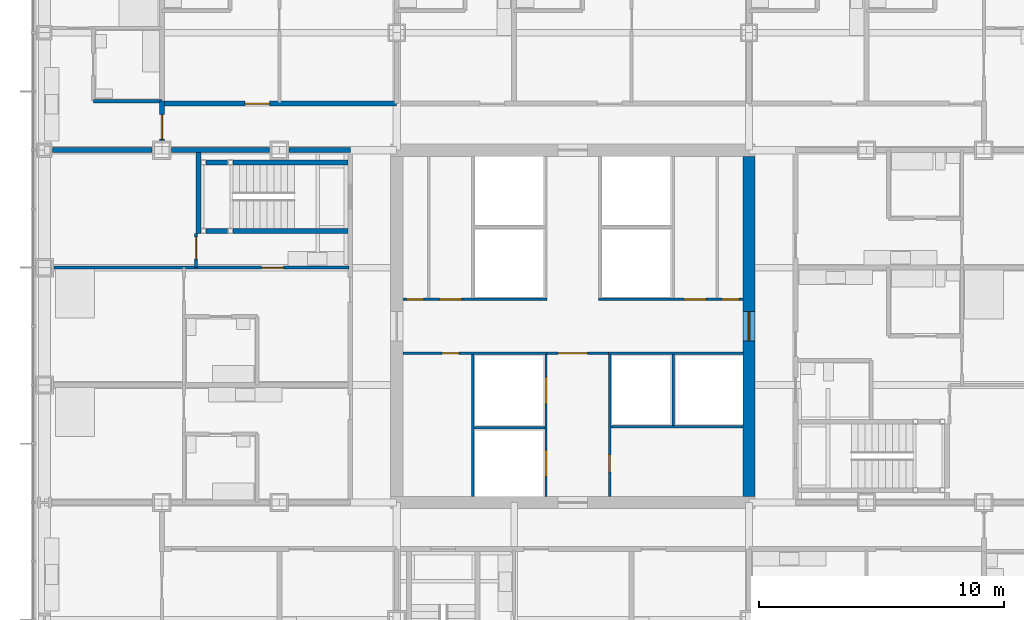
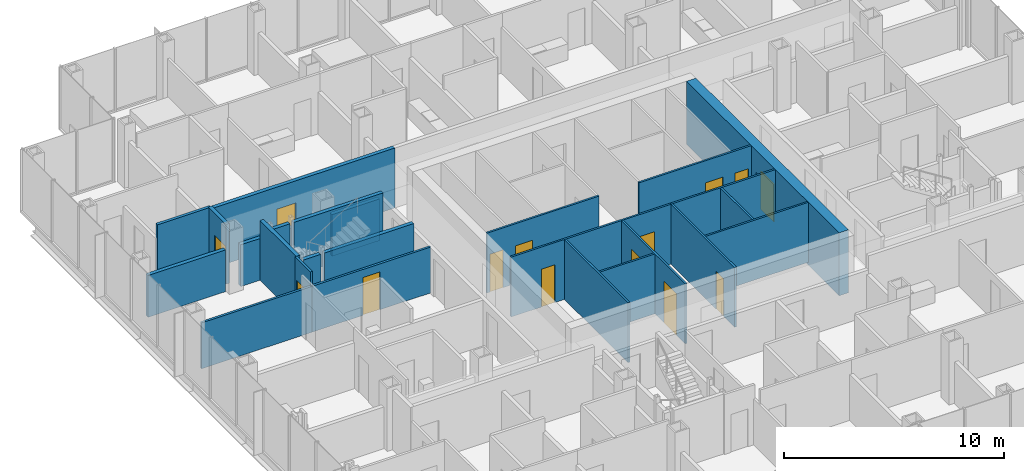
# One storey, part 15 of 21: 26 walls, 14 doors, 14 openings.
"""IFC4 building model written with IfcOpenShell, lengths in metres."""

from ifc_helpers import new_model, si_unit, direction, frame, frame_2d, origin, place, context, subcontext, project, spatial, rectangle, extrude, material, layer, layer_set, type_object, element, fill, save


model = new_model("IFC4")

# Units and contexts
model_context = context("Model", 3, precision=1e-05, world=origin(), true_north=direction((0.0, 1.0)))
body_context = subcontext(model_context, "Body", "Model", "MODEL_VIEW")
ifc_project = project(units=[si_unit("LENGTHUNIT", "METRE"), si_unit("AREAUNIT", "SQUARE_METRE"), si_unit("VOLUMEUNIT", "CUBIC_METRE"), si_unit("PLANEANGLEUNIT", "RADIAN"), si_unit("MASSUNIT", "GRAM", prefix="KILO")], contexts=[model_context])

# Site, building, storey
site_placement = place(None, origin())
site = spatial("IfcSite", under=ifc_project, at=site_placement, CompositionType="ELEMENT")
building_placement = place(site_placement, origin())
building = spatial("IfcBuilding", under=site, at=building_placement, Name="Kvirike Care Tower", CompositionType="ELEMENT")
storey_placement = place(building_placement, frame((0.0, 0.0, 34.0)))
storey = spatial("IfcBuildingStorey", under=building, at=storey_placement, Name="L08", CompositionType="ELEMENT", Elevation=34.0)

# Wall
ifc_material_1 = material(Name="Moisture-resistant board partition", Category="gypsum")
ifc_layer_1 = layer(ifc_material_1, 0.14990234375)
ifc_layer_set_1 = layer_set([ifc_layer_1], Name="BATHROOM WALL 150")
wall_type_1 = type_object("IfcWallType", Name="BATHROOM WALL 150", PredefinedType="PARTITIONING", material=ifc_layer_set_1)
wall_1_placement = place(storey_placement, frame((4.800048828125, 45.199951171875, 0.0), z_axis=(0.0, 0.0, 1.0), x_axis=(-1.0, 0.0, 0.0)))
element("IfcWall", 1, at=wall_1_placement, inside=storey, type_object=wall_type_1, Name="Bathroom Wall 150 L08", PredefinedType="PARTITIONING", context=body_context, shape_type="SweptSolid", body=[
    extrude(rectangle(XDim=2.800048828125, YDim=0.14990234375, at=frame_2d((1.39990234375, 0.0))), origin(), (0.0, 0.0, 1.0), 3.330078125),
])

# Wall, opening, door
ifc_material_2 = material(Name="Concrete C60/75", Category="concrete")
ifc_layer_2 = layer(ifc_material_2, 0.5)
ifc_layer_set_2 = layer_set([ifc_layer_2], Name="CORE WALL 500 C60-75")
wall_type_2 = type_object("IfcWallType", Name="CORE WALL 500 C60-75", PredefinedType="SHEAR", material=ifc_layer_set_2)
wall_2_placement = place(storey_placement, frame((28.800048828125, 29.050048828125, -0.169921875), z_axis=(0.0, 0.0, 1.0), x_axis=(0.0, 1.0, 0.0)))
wall_2 = element("IfcWall", 2, at=wall_2_placement, inside=storey, type_object=wall_type_2, Name="Core wall E L08", PredefinedType="SHEAR", context=body_context, shape_type="SweptSolid", body=[
    extrude(rectangle(XDim=13.89990234375, YDim=0.5, at=frame_2d((6.949951171875, 0.0))), origin(), (0.0, 0.0, 1.0), 3.5),
])
opening_1_placement = place(wall_2_placement, frame((6.35009765625, 0.0, 0.169921875)))
opening_1 = element("IfcOpeningElement", 3, at=opening_1_placement, cuts=wall_2, Name="Opening 08-081", PredefinedType="OPENING", context=body_context, shape_type="SweptSolid", body=[
    extrude(rectangle(XDim=1.199951171875, YDim=2.10009765625, at=frame_2d((0.60009765625, 1.050048828125))), frame((0.0, 0.260498046875, 0.0), z_axis=(0.0, -1.0, 0.0), x_axis=(1.0, 0.0, 0.0)), (0.0, 0.0, 1.0), 0.52099609375),
])
ifc_material_3 = material(Name="Timber door set", Category="wood")
door_type_1 = type_object("IfcDoorType", Name="CORE DOOR 1200", OperationType="SINGLE_SWING_LEFT", PredefinedType="DOOR", material=ifc_material_3)
door_1_placement = place(opening_1_placement, origin())
door_1 = element("IfcDoor", 4, at=door_1_placement, inside=storey, type_object=door_type_1, Name="Core door E L08", OperationType="SINGLE_SWING_LEFT", OverallHeight=2.10009765625, OverallWidth=1.199951171875, PredefinedType="DOOR", context=body_context, shape_type="SweptSolid", body=[
    extrude(rectangle(XDim=1.199951171875, YDim=2.10009765625, at=frame_2d((0.60009765625, 1.050048828125))), frame((0.0, 0.02685546875, 0.0), z_axis=(0.0, -1.0, 0.0), x_axis=(1.0, 0.0, 0.0)), (0.0, 0.0, 1.0), 0.053955078125),
])
fill(opening_1, door_1)

ifc_material_4 = material(Name="Plasterboard corridor wall", Category="gypsum")
ifc_layer_3 = layer(ifc_material_4, 0.199951171875)
ifc_layer_set_3 = layer_set([ifc_layer_3], Name="CORRIDOR WALL 200")
wall_type_3 = type_object("IfcWallType", Name="CORRIDOR WALL 200", PredefinedType="PARTITIONING", material=ifc_layer_set_3)
wall_3_placement = place(storey_placement, frame((14.39990234375, 45.10009765625, 0.0), z_axis=(0.0, 0.0, 1.0), x_axis=(-1.0, 0.0, 0.0)))
wall_3 = element("IfcWall", 5, at=wall_3_placement, inside=storey, type_object=wall_type_3, Name="Corridor Wall 200 L08", PredefinedType="PARTITIONING", context=body_context, shape_type="SweptSolid", body=[
    extrude(rectangle(XDim=9.599853515625, YDim=0.199951171875, at=frame_2d((4.7998046875, 0.0))), origin(), (0.0, 0.0, 1.0), 3.330078125),
])
opening_2_placement = place(wall_3_placement, frame((5.199951171875, 0.0, 0.0)))
opening_2 = element("IfcOpeningElement", 6, at=opening_2_placement, cuts=wall_3, Name="Opening 08-024", PredefinedType="OPENING", context=body_context, shape_type="SweptSolid", body=[
    extrude(rectangle(XDim=1.0, YDim=2.10009765625, at=frame_2d((0.5, 1.050048828125))), frame((0.0, 0.110595703125, 0.0), z_axis=(0.0, -1.0, 0.0), x_axis=(1.0, 0.0, 0.0)), (0.0, 0.0, 1.0), 0.220947265625),
])
ifc_material_5 = material(Name="Timber door set", Category="wood")
door_type_2 = type_object("IfcDoorType", Name="FLAT ENTRANCE DOOR 1000", OperationType="SINGLE_SWING_LEFT", PredefinedType="DOOR", material=ifc_material_5)
door_2_placement = place(opening_2_placement, frame((1.0, 0.0, 0.0), z_axis=(0.0, 0.0, 1.0), x_axis=(-1.0, 0.0, 0.0)))
door_2 = element("IfcDoor", 7, at=door_2_placement, inside=storey, type_object=door_type_2, Name="One-bedroom apartment entrance", OperationType="SINGLE_SWING_LEFT", OverallHeight=2.10009765625, OverallWidth=1.0, PredefinedType="DOOR", context=body_context, shape_type="SweptSolid", body=[
    extrude(rectangle(XDim=1.0, YDim=2.10009765625, at=frame_2d((0.5, 1.050048828125))), frame((0.0, 0.02685546875, 0.0), z_axis=(0.0, -1.0, 0.0), x_axis=(1.0, 0.0, 0.0)), (0.0, 0.0, 1.0), 0.053955078125),
])
fill(opening_2, door_2)

wall_4_placement = place(storey_placement, frame((4.800048828125, 45.199951171875, 0.0), z_axis=(0.0, 0.0, 1.0), x_axis=(0.0, -1.0, 0.0)))
wall_4 = element("IfcWall", 8, at=wall_4_placement, inside=storey, type_object=wall_type_3, Name="Corridor Wall 200 L08", PredefinedType="PARTITIONING", context=body_context, shape_type="SweptSolid", body=[
    extrude(rectangle(XDim=1.60498046875, YDim=0.199951171875, at=frame_2d((0.802490234375, 0.0))), origin(), (0.0, 0.0, 1.0), 3.330078125),
])
opening_3_placement = place(wall_4_placement, frame((0.550048828125, 0.0, 0.0)))
opening_3 = element("IfcOpeningElement", 9, at=opening_3_placement, cuts=wall_4, Name="Opening 08-025", PredefinedType="OPENING", context=body_context, shape_type="SweptSolid", body=[
    extrude(rectangle(XDim=1.0, YDim=2.10009765625, at=frame_2d((0.5, 1.050048828125))), frame((0.0, 0.110595703125, 0.0), z_axis=(0.0, -1.0, 0.0), x_axis=(1.0, 0.0, 0.0)), (0.0, 0.0, 1.0), 0.220947265625),
])
door_3_placement = place(opening_3_placement, frame((1.0, 0.0, 0.0), z_axis=(0.0, 0.0, 1.0), x_axis=(-1.0, 0.0, 0.0)))
door_3 = element("IfcDoor", 10, at=door_3_placement, inside=storey, type_object=door_type_2, Name="Studio apartment entrance", OperationType="SINGLE_SWING_RIGHT", OverallHeight=2.10009765625, OverallWidth=1.0, PredefinedType="DOOR", context=body_context, shape_type="SweptSolid", body=[
    extrude(rectangle(XDim=1.0, YDim=2.10009765625, at=frame_2d((0.5, 1.050048828125))), frame((0.0, 0.02685546875, 0.0), z_axis=(0.0, -1.0, 0.0), x_axis=(1.0, 0.0, 0.0)), (0.0, 0.0, 1.0), 0.053955078125),
])
fill(opening_3, door_3)

ifc_material_6 = material(Name="Plasterboard partition", Category="gypsum")
ifc_layer_4 = layer(ifc_material_6, 0.1201171875)
ifc_layer_set_4 = layer_set([ifc_layer_4], Name="PARTITION 120")
wall_type_4 = type_object("IfcWallType", Name="PARTITION 120", PredefinedType="PARTITIONING", material=ifc_layer_set_4)
wall_5_placement = place(storey_placement, frame((6.199951171875, 38.39990234375, 0.0), z_axis=(0.0, 0.0, 1.0), x_axis=(1.0, 0.0, 0.0)))
wall_5 = element("IfcWall", 11, at=wall_5_placement, inside=storey, type_object=wall_type_4, Name="Partition 120 L08", PredefinedType="PARTITIONING", context=body_context, shape_type="SweptSolid", body=[
    extrude(rectangle(XDim=6.25, YDim=0.1201171875, at=frame_2d((3.125, 0.0))), origin(), (0.0, 0.0, 1.0), 2.550048828125),
])
opening_4_placement = place(wall_5_placement, frame((2.675048828125, 0.0, 0.0)))
opening_4 = element("IfcOpeningElement", 12, at=opening_4_placement, cuts=wall_5, Name="Opening 08-010", PredefinedType="OPENING", context=body_context, shape_type="SweptSolid", body=[
    extrude(rectangle(XDim=0.89990234375, YDim=2.10009765625, at=frame_2d((0.449951171875, 1.050048828125))), frame((0.0, 0.070556640625, 0.0), z_axis=(0.0, -1.0, 0.0), x_axis=(1.0, 0.0, 0.0)), (0.0, 0.0, 1.0), 0.14111328125),
])
ifc_material_7 = material(Name="Timber door set", Category="wood")
door_type_3 = type_object("IfcDoorType", Name="INTERNAL DOOR 900", OperationType="SINGLE_SWING_LEFT", PredefinedType="DOOR", material=ifc_material_7)
door_4_placement = place(opening_4_placement, origin())
door_4 = element("IfcDoor", 13, at=door_4_placement, inside=storey, type_object=door_type_3, Name="Hall door", OperationType="SINGLE_SWING_LEFT", OverallHeight=2.10009765625, OverallWidth=0.89990234375, PredefinedType="DOOR", context=body_context, shape_type="SweptSolid", body=[
    extrude(rectangle(XDim=0.89990234375, YDim=2.10009765625, at=frame_2d((0.449951171875, 1.050048828125))), frame((0.0, 0.02197265625, 0.0), z_axis=(0.0, -1.0, 0.0), x_axis=(1.0, 0.0, 0.0)), (0.0, 0.0, 1.0), 0.0439453125),
])
fill(opening_4, door_4)

wall_6_placement = place(storey_placement, frame((6.199951171875, 39.800048828125, 0.0), z_axis=(0.0, 0.0, 1.0), x_axis=(0.0, -1.0, 0.0)))
wall_6 = element("IfcWall", 14, at=wall_6_placement, inside=storey, type_object=wall_type_4, Name="Partition 120 L08", PredefinedType="PARTITIONING", context=body_context, shape_type="SweptSolid", body=[
    extrude(rectangle(XDim=1.400146484375, YDim=0.1201171875, at=frame_2d((0.7001953125, 0.0))), origin(), (0.0, 0.0, 1.0), 3.330078125),
])
opening_5_placement = place(wall_6_placement, frame((0.14990234375, 0.0, 0.0)))
opening_5 = element("IfcOpeningElement", 15, at=opening_5_placement, cuts=wall_6, Name="Opening 08-011", PredefinedType="OPENING", context=body_context, shape_type="SweptSolid", body=[
    extrude(rectangle(XDim=0.89990234375, YDim=2.10009765625, at=frame_2d((0.449951171875, 1.050048828125))), frame((0.0, 0.070556640625, 0.0), z_axis=(0.0, -1.0, 0.0), x_axis=(1.0, 0.0, 0.0)), (0.0, 0.0, 1.0), 0.14111328125),
])
door_5_placement = place(opening_5_placement, origin())
door_5 = element("IfcDoor", 16, at=door_5_placement, inside=storey, type_object=door_type_3, Name="Apartment living room door", OperationType="SINGLE_SWING_RIGHT", OverallHeight=2.10009765625, OverallWidth=0.89990234375, PredefinedType="DOOR", context=body_context, shape_type="SweptSolid", body=[
    extrude(rectangle(XDim=0.89990234375, YDim=2.10009765625, at=frame_2d((0.449951171875, 1.050048828125))), frame((0.0, 0.02197265625, 0.0), z_axis=(0.0, -1.0, 0.0), x_axis=(1.0, 0.0, 0.0)), (0.0, 0.0, 1.0), 0.0439453125),
])
fill(opening_5, door_5)

# Walls
wall_7_placement = place(storey_placement, frame((0.39501953125, 38.39990234375, 0.0), z_axis=(0.0, 0.0, 1.0), x_axis=(1.0, 0.0, 0.0)))
element("IfcWall", 17, at=wall_7_placement, inside=storey, type_object=wall_type_4, Name="Partition 120 L08", PredefinedType="PARTITIONING", context=body_context, shape_type="SweptSolid", body=[
    extrude(rectangle(XDim=5.804931640625, YDim=0.1201171875, at=frame_2d((2.90234375, 0.0))), origin(), (0.0, 0.0, 1.0), 2.550048828125),
])
ifc_material_8 = material(Name="Plasterboard party wall", Category="gypsum")
ifc_layer_5 = layer(ifc_material_8, 0.199951171875)
ifc_layer_set_5 = layer_set([ifc_layer_5], Name="PARTY WALL 200")
wall_type_5 = type_object("IfcWallType", Name="PARTY WALL 200", PredefinedType="PARTITIONING", material=ifc_layer_set_5)
wall_8_placement = place(storey_placement, frame((12.5, 43.199951171875, 0.0), z_axis=(0.0, 0.0, 1.0), x_axis=(-1.0, 0.0, 0.0)))
element("IfcWall", 18, at=wall_8_placement, inside=storey, type_object=wall_type_5, Name="Party Wall 200 L08", PredefinedType="PARTITIONING", context=body_context, shape_type="SweptSolid", body=[
    extrude(rectangle(XDim=2.5048828125, YDim=0.199951171875, at=frame_2d((1.25244140625, 0.0))), origin(), (0.0, 0.0, 1.0), 2.320068359375),
])
wall_9_placement = place(storey_placement, frame((9.205078125, 43.199951171875, 0.0), z_axis=(0.0, 0.0, 1.0), x_axis=(-1.0, 0.0, 0.0)))
element("IfcWall", 19, at=wall_9_placement, inside=storey, type_object=wall_type_5, Name="Party Wall 200 L08", PredefinedType="PARTITIONING", context=body_context, shape_type="SweptSolid", body=[
    extrude(rectangle(XDim=4.010009765625, YDim=0.199951171875, at=frame_2d((2.0048828125, 0.0))), origin(), (0.0, 0.0, 1.0), 2.320068359375),
])
wall_10_placement = place(storey_placement, frame((4.405029296875, 43.199951171875, 0.0), z_axis=(0.0, 0.0, 1.0), x_axis=(-1.0, 0.0, 0.0)))
element("IfcWall", 20, at=wall_10_placement, inside=storey, type_object=wall_type_5, Name="Party Wall 200 L08", PredefinedType="PARTITIONING", context=body_context, shape_type="SweptSolid", body=[
    extrude(rectangle(XDim=4.0849609375, YDim=0.199951171875, at=frame_2d((2.04248046875, 0.0))), origin(), (0.0, 0.0, 1.0), 2.320068359375),
])

# Wall, openings, doors
ifc_material_9 = material(Name="Gypsum shaft wall system", Category="gypsum")
ifc_layer_6 = layer(ifc_material_9, 0.10009765625)
ifc_layer_set_6 = layer_set([ifc_layer_6], Name="SHAFT WALL 100")
wall_type_6 = type_object("IfcWallType", Name="SHAFT WALL 100", PredefinedType="SOLIDWALL", material=ifc_layer_set_6)
wall_11_placement = place(storey_placement, frame((20.5, 29.050048828125, 0.0), z_axis=(0.0, 0.0, 1.0), x_axis=(0.0, 1.0, 0.0)))
wall_11 = element("IfcWall", 21, at=wall_11_placement, inside=storey, type_object=wall_type_6, Name="Shaft Wall 100 L08", PredefinedType="SOLIDWALL", context=body_context, shape_type="SweptSolid", body=[
    extrude(rectangle(XDim=5.800048828125, YDim=0.10009765625, at=frame_2d((2.89990234375, 0.0))), origin(), (0.0, 0.0, 1.0), 3.330078125),
])
opening_6_placement = place(wall_11_placement, frame((0.800048828125, 0.0, 0.0)))
opening_6 = element("IfcOpeningElement", 22, at=opening_6_placement, cuts=wall_11, Name="Opening 08-068", PredefinedType="OPENING", context=body_context, shape_type="SweptSolid", body=[
    extrude(rectangle(XDim=1.10009765625, YDim=2.300048828125, at=frame_2d((0.550048828125, 1.14990234375))), frame((0.0, 0.060546875, 0.0), z_axis=(0.0, -1.0, 0.0), x_axis=(1.0, 0.0, 0.0)), (0.0, 0.0, 1.0), 0.12109375),
])
opening_7_placement = place(wall_11_placement, frame((3.77490234375, 0.0, 0.0)))
opening_7 = element("IfcOpeningElement", 23, at=opening_7_placement, cuts=wall_11, Name="Opening 08-069", PredefinedType="OPENING", context=body_context, shape_type="SweptSolid", body=[
    extrude(rectangle(XDim=1.10009765625, YDim=2.300048828125, at=frame_2d((0.550048828125, 1.14990234375))), frame((0.0, 0.060546875, 0.0), z_axis=(0.0, -1.0, 0.0), x_axis=(1.0, 0.0, 0.0)), (0.0, 0.0, 1.0), 0.12109375),
])
ifc_material_10 = material(Name="Aluminium door frame", Category="aluminium")
door_type_4 = type_object("IfcDoorType", Name="FIRE-FIGHTING LIFT LANDING DOOR 1100", OperationType="SLIDING_TO_LEFT", PredefinedType="DOOR", material=ifc_material_10)
door_6_placement = place(opening_6_placement, origin())
door_6 = element("IfcDoor", 24, at=door_6_placement, inside=storey, type_object=door_type_4, Name="Lift FF1 landing door", OperationType="SLIDING_TO_LEFT", OverallHeight=2.300048828125, OverallWidth=1.10009765625, PredefinedType="DOOR", context=body_context, shape_type="SweptSolid", body=[
    extrude(rectangle(XDim=1.10009765625, YDim=2.300048828125, at=frame_2d((0.550048828125, 1.14990234375))), frame((0.0, 0.0498046875, 0.0), z_axis=(0.0, -1.0, 0.0), x_axis=(1.0, 0.0, 0.0)), (0.0, 0.0, 1.0), 0.099609375),
])
fill(opening_6, door_6)
door_7_placement = place(opening_7_placement, origin())
door_7 = element("IfcDoor", 25, at=door_7_placement, inside=storey, type_object=door_type_4, Name="Lift FF2 landing door", OperationType="SLIDING_TO_LEFT", OverallHeight=2.300048828125, OverallWidth=1.10009765625, PredefinedType="DOOR", context=body_context, shape_type="SweptSolid", body=[
    extrude(rectangle(XDim=1.10009765625, YDim=2.300048828125, at=frame_2d((0.550048828125, 1.14990234375))), frame((0.0, 0.0498046875, 0.0), z_axis=(0.0, -1.0, 0.0), x_axis=(1.0, 0.0, 0.0)), (0.0, 0.0, 1.0), 0.099609375),
])
fill(opening_7, door_7)

# Wall, opening, door
wall_12_placement = place(storey_placement, frame((23.10009765625, 29.050048828125, 0.0), z_axis=(0.0, 0.0, 1.0), x_axis=(0.0, 1.0, 0.0)))
wall_12 = element("IfcWall", 26, at=wall_12_placement, inside=storey, type_object=wall_type_6, Name="Shaft Wall 100 L08", PredefinedType="SOLIDWALL", context=body_context, shape_type="SweptSolid", body=[
    extrude(rectangle(XDim=5.800048828125, YDim=0.10009765625, at=frame_2d((2.89990234375, 0.0))), origin(), (0.0, 0.0, 1.0), 3.330078125),
])
opening_8_placement = place(wall_12_placement, frame((1.0, 0.0, 0.0)))
opening_8 = element("IfcOpeningElement", 27, at=opening_8_placement, cuts=wall_12, Name="Opening 08-072", PredefinedType="OPENING", context=body_context, shape_type="SweptSolid", body=[
    extrude(rectangle(XDim=0.699951171875, YDim=2.10009765625, at=frame_2d((0.35009765625, 1.050048828125))), frame((0.0, 0.060546875, 0.0), z_axis=(0.0, -1.0, 0.0), x_axis=(1.0, 0.0, 0.0)), (0.0, 0.0, 1.0), 0.12109375),
])
ifc_material_11 = material(Name="Timber door set", Category="wood")
door_type_5 = type_object("IfcDoorType", Name="RISER DOOR 700", OperationType="SINGLE_SWING_LEFT", PredefinedType="DOOR", material=ifc_material_11)
door_8_placement = place(opening_8_placement, origin())
door_8 = element("IfcDoor", 28, at=door_8_placement, inside=storey, type_object=door_type_5, Name="Riser door", OperationType="SINGLE_SWING_RIGHT", OverallHeight=2.10009765625, OverallWidth=0.699951171875, PredefinedType="DOOR", context=body_context, shape_type="SweptSolid", body=[
    extrude(rectangle(XDim=0.699951171875, YDim=2.10009765625, at=frame_2d((0.35009765625, 1.050048828125))), frame((0.0, 0.02685546875, 0.0), z_axis=(0.0, -1.0, 0.0), x_axis=(1.0, 0.0, 0.0)), (0.0, 0.0, 1.0), 0.053955078125),
])
fill(opening_8, door_8)

wall_13_placement = place(storey_placement, frame((14.64990234375, 34.89990234375, 0.0), z_axis=(0.0, 0.0, 1.0), x_axis=(1.0, 0.0, 0.0)))
wall_13 = element("IfcWall", 29, at=wall_13_placement, inside=storey, type_object=wall_type_6, Name="Shaft Wall 100 L08", PredefinedType="SOLIDWALL", context=body_context, shape_type="SweptSolid", body=[
    extrude(rectangle(XDim=5.900146484375, YDim=0.10009765625, at=frame_2d((2.9501953125, 0.0))), origin(), (0.0, 0.0, 1.0), 3.330078125),
])
opening_9_placement = place(wall_13_placement, frame((1.60009765625, 0.0, 0.0)))
opening_9 = element("IfcOpeningElement", 30, at=opening_9_placement, cuts=wall_13, Name="Opening 08-073", PredefinedType="OPENING", context=body_context, shape_type="SweptSolid", body=[
    extrude(rectangle(XDim=0.699951171875, YDim=2.10009765625, at=frame_2d((0.35009765625, 1.050048828125))), frame((0.0, 0.060546875, 0.0), z_axis=(0.0, -1.0, 0.0), x_axis=(1.0, 0.0, 0.0)), (0.0, 0.0, 1.0), 0.12109375),
])
door_9_placement = place(opening_9_placement, frame((0.699951171875, 0.0, 0.0), z_axis=(0.0, 0.0, 1.0), x_axis=(-1.0, 0.0, 0.0)))
door_9 = element("IfcDoor", 31, at=door_9_placement, inside=storey, type_object=door_type_5, Name="Riser door", OperationType="SINGLE_SWING_RIGHT", OverallHeight=2.10009765625, OverallWidth=0.699951171875, PredefinedType="DOOR", context=body_context, shape_type="SweptSolid", body=[
    extrude(rectangle(XDim=0.699951171875, YDim=2.10009765625, at=frame_2d((0.35009765625, 1.050048828125))), frame((0.0, 0.02685546875, 0.0), z_axis=(0.0, -1.0, 0.0), x_axis=(1.0, 0.0, 0.0)), (0.0, 0.0, 1.0), 0.053955078125),
])
fill(opening_9, door_9)

# Wall
wall_14_placement = place(storey_placement, frame((23.050048828125, 34.89990234375, 0.0), z_axis=(0.0, 0.0, 1.0), x_axis=(1.0, 0.0, 0.0)))
element("IfcWall", 32, at=wall_14_placement, inside=storey, type_object=wall_type_6, Name="Shaft Wall 100 L08", PredefinedType="SOLIDWALL", context=body_context, shape_type="SweptSolid", body=[
    extrude(rectangle(XDim=5.5, YDim=0.10009765625, at=frame_2d((2.75, 0.0))), origin(), (0.0, 0.0, 1.0), 3.330078125),
])

# Wall, openings, doors
wall_15_placement = place(storey_placement, frame((14.64990234375, 37.10009765625, 0.0), z_axis=(0.0, 0.0, 1.0), x_axis=(1.0, 0.0, 0.0)))
wall_15 = element("IfcWall", 33, at=wall_15_placement, inside=storey, type_object=wall_type_6, Name="Shaft Wall 100 L08", PredefinedType="SOLIDWALL", context=body_context, shape_type="SweptSolid", body=[
    extrude(rectangle(XDim=5.900146484375, YDim=0.10009765625, at=frame_2d((2.9501953125, 0.0))), origin(), (0.0, 0.0, 1.0), 3.330078125),
])
opening_10_placement = place(wall_15_placement, frame((0.14990234375, 0.0, 0.0)))
opening_10 = element("IfcOpeningElement", 34, at=opening_10_placement, cuts=wall_15, Name="Opening 08-074", PredefinedType="OPENING", context=body_context, shape_type="SweptSolid", body=[
    extrude(rectangle(XDim=0.699951171875, YDim=2.10009765625, at=frame_2d((0.35009765625, 1.050048828125))), frame((0.0, 0.060546875, 0.0), z_axis=(0.0, -1.0, 0.0), x_axis=(1.0, 0.0, 0.0)), (0.0, 0.0, 1.0), 0.12109375),
])
opening_11_placement = place(wall_15_placement, frame((1.5, 0.0, 0.0)))
opening_11 = element("IfcOpeningElement", 35, at=opening_11_placement, cuts=wall_15, Name="Opening 08-075", PredefinedType="OPENING", context=body_context, shape_type="SweptSolid", body=[
    extrude(rectangle(XDim=0.89990234375, YDim=2.10009765625, at=frame_2d((0.449951171875, 1.050048828125))), frame((0.0, 0.060546875, 0.0), z_axis=(0.0, -1.0, 0.0), x_axis=(1.0, 0.0, 0.0)), (0.0, 0.0, 1.0), 0.12109375),
])
door_10_placement = place(opening_10_placement, origin())
door_10 = element("IfcDoor", 36, at=door_10_placement, inside=storey, type_object=door_type_5, Name="Riser door", OperationType="SINGLE_SWING_LEFT", OverallHeight=2.10009765625, OverallWidth=0.699951171875, PredefinedType="DOOR", context=body_context, shape_type="SweptSolid", body=[
    extrude(rectangle(XDim=0.699951171875, YDim=2.10009765625, at=frame_2d((0.35009765625, 1.050048828125))), frame((0.0, 0.02685546875, 0.0), z_axis=(0.0, -1.0, 0.0), x_axis=(1.0, 0.0, 0.0)), (0.0, 0.0, 1.0), 0.053955078125),
])
fill(opening_10, door_10)
ifc_material_12 = material(Name="Timber door set", Category="wood")
door_type_6 = type_object("IfcDoorType", Name="STORE DOOR 900", OperationType="SINGLE_SWING_LEFT", PredefinedType="DOOR", material=ifc_material_12)
door_11_placement = place(opening_11_placement, origin())
door_11 = element("IfcDoor", 37, at=door_11_placement, inside=storey, type_object=door_type_6, Name="Linen store door", OperationType="SINGLE_SWING_LEFT", OverallHeight=2.10009765625, OverallWidth=0.89990234375, PredefinedType="DOOR", context=body_context, shape_type="SweptSolid", body=[
    extrude(rectangle(XDim=0.89990234375, YDim=2.10009765625, at=frame_2d((0.449951171875, 1.050048828125))), frame((0.0, 0.02685546875, 0.0), z_axis=(0.0, -1.0, 0.0), x_axis=(1.0, 0.0, 0.0)), (0.0, 0.0, 1.0), 0.053955078125),
])
fill(opening_11, door_11)

wall_16_placement = place(storey_placement, frame((22.64990234375, 37.10009765625, 0.0), z_axis=(0.0, 0.0, 1.0), x_axis=(1.0, 0.0, 0.0)))
wall_16 = element("IfcWall", 38, at=wall_16_placement, inside=storey, type_object=wall_type_6, Name="Shaft Wall 100 L08", PredefinedType="SOLIDWALL", context=body_context, shape_type="SweptSolid", body=[
    extrude(rectangle(XDim=5.900146484375, YDim=0.10009765625, at=frame_2d((2.9501953125, 0.0))), origin(), (0.0, 0.0, 1.0), 3.330078125),
])
opening_12_placement = place(wall_16_placement, frame((3.5, 0.0, 0.0)))
opening_12 = element("IfcOpeningElement", 39, at=opening_12_placement, cuts=wall_16, Name="Opening 08-076", PredefinedType="OPENING", context=body_context, shape_type="SweptSolid", body=[
    extrude(rectangle(XDim=0.89990234375, YDim=2.10009765625, at=frame_2d((0.449951171875, 1.050048828125))), frame((0.0, 0.060546875, 0.0), z_axis=(0.0, -1.0, 0.0), x_axis=(1.0, 0.0, 0.0)), (0.0, 0.0, 1.0), 0.12109375),
])
opening_13_placement = place(wall_16_placement, frame((5.050048828125, 0.0, 0.0)))
opening_13 = element("IfcOpeningElement", 40, at=opening_13_placement, cuts=wall_16, Name="Opening 08-077", PredefinedType="OPENING", context=body_context, shape_type="SweptSolid", body=[
    extrude(rectangle(XDim=0.699951171875, YDim=2.10009765625, at=frame_2d((0.35009765625, 1.050048828125))), frame((0.0, 0.060546875, 0.0), z_axis=(0.0, -1.0, 0.0), x_axis=(1.0, 0.0, 0.0)), (0.0, 0.0, 1.0), 0.12109375),
])
door_12_placement = place(opening_13_placement, origin())
door_12 = element("IfcDoor", 41, at=door_12_placement, inside=storey, type_object=door_type_5, Name="Riser door", OperationType="SINGLE_SWING_RIGHT", OverallHeight=2.10009765625, OverallWidth=0.699951171875, PredefinedType="DOOR", context=body_context, shape_type="SweptSolid", body=[
    extrude(rectangle(XDim=0.699951171875, YDim=2.10009765625, at=frame_2d((0.35009765625, 1.050048828125))), frame((0.0, 0.02685546875, 0.0), z_axis=(0.0, -1.0, 0.0), x_axis=(1.0, 0.0, 0.0)), (0.0, 0.0, 1.0), 0.053955078125),
])
fill(opening_13, door_12)
door_13_placement = place(opening_12_placement, origin())
door_13 = element("IfcDoor", 42, at=door_13_placement, inside=storey, type_object=door_type_6, Name="IT room door", OperationType="SINGLE_SWING_LEFT", OverallHeight=2.10009765625, OverallWidth=0.89990234375, PredefinedType="DOOR", context=body_context, shape_type="SweptSolid", body=[
    extrude(rectangle(XDim=0.89990234375, YDim=2.10009765625, at=frame_2d((0.449951171875, 1.050048828125))), frame((0.0, 0.02685546875, 0.0), z_axis=(0.0, -1.0, 0.0), x_axis=(1.0, 0.0, 0.0)), (0.0, 0.0, 1.0), 0.053955078125),
])
fill(opening_12, door_13)

# Wall, opening, door
wall_17_placement = place(storey_placement, frame((20.550048828125, 34.89990234375, 0.0), z_axis=(0.0, 0.0, 1.0), x_axis=(1.0, 0.0, 0.0)))
wall_17 = element("IfcWall", 43, at=wall_17_placement, inside=storey, type_object=wall_type_6, Name="Shaft Wall 100 L08", PredefinedType="SOLIDWALL", context=body_context, shape_type="SweptSolid", body=[
    extrude(rectangle(XDim=2.5, YDim=0.10009765625, at=frame_2d((1.25, 0.0))), origin(), (0.0, 0.0, 1.0), 3.330078125),
])
opening_14_placement = place(wall_17_placement, frame((0.449951171875, 0.0, 0.0)))
opening_14 = element("IfcOpeningElement", 44, at=opening_14_placement, cuts=wall_17, Name="Opening 08-078", PredefinedType="OPENING", context=body_context, shape_type="SweptSolid", body=[
    extrude(rectangle(XDim=1.199951171875, YDim=2.10009765625, at=frame_2d((0.60009765625, 1.050048828125))), frame((0.0, 0.060546875, 0.0), z_axis=(0.0, -1.0, 0.0), x_axis=(1.0, 0.0, 0.0)), (0.0, 0.0, 1.0), 0.12109375),
])
door_14_placement = place(opening_14_placement, frame((1.199951171875, 0.0, 0.0), z_axis=(0.0, 0.0, 1.0), x_axis=(-1.0, 0.0, 0.0)))
door_14 = element("IfcDoor", 45, at=door_14_placement, inside=storey, type_object=door_type_1, Name="Fire-fighting lobby door", OperationType="SINGLE_SWING_LEFT", OverallHeight=2.10009765625, OverallWidth=1.199951171875, PredefinedType="DOOR", context=body_context, shape_type="SweptSolid", body=[
    extrude(rectangle(XDim=1.199951171875, YDim=2.10009765625, at=frame_2d((0.60009765625, 1.050048828125))), frame((0.0, 0.02685546875, 0.0), z_axis=(0.0, -1.0, 0.0), x_axis=(1.0, 0.0, 0.0)), (0.0, 0.0, 1.0), 0.053955078125),
])
fill(opening_14, door_14)

# Walls
wall_18_placement = place(storey_placement, frame((17.5, 29.050048828125, 0.0), z_axis=(0.0, 0.0, 1.0), x_axis=(0.0, 1.0, 0.0)))
element("IfcWall", 46, at=wall_18_placement, inside=storey, type_object=wall_type_6, Name="Shaft Wall 100 L08", PredefinedType="SOLIDWALL", context=body_context, shape_type="SweptSolid", body=[
    extrude(rectangle(XDim=5.800048828125, YDim=0.10009765625, at=frame_2d((2.89990234375, 0.0))), origin(), (0.0, 0.0, 1.0), 3.330078125),
])
wall_19_placement = place(storey_placement, frame((17.550048828125, 31.85009765625, 0.0), z_axis=(0.0, 0.0, 1.0), x_axis=(1.0, 0.0, 0.0)))
element("IfcWall", 47, at=wall_19_placement, inside=storey, type_object=wall_type_6, Name="Shaft Wall 100 L08", PredefinedType="SOLIDWALL", context=body_context, shape_type="SweptSolid", body=[
    extrude(rectangle(XDim=2.89990234375, YDim=0.10009765625, at=frame_2d((1.449951171875, 0.0))), origin(), (0.0, 0.0, 1.0), 3.330078125),
])
wall_20_placement = place(storey_placement, frame((25.699951171875, 31.949951171875, 0.0), z_axis=(0.0, 0.0, 1.0), x_axis=(0.0, 1.0, 0.0)))
element("IfcWall", 48, at=wall_20_placement, inside=storey, type_object=wall_type_6, Name="Shaft Wall 100 L08", PredefinedType="SOLIDWALL", context=body_context, shape_type="SweptSolid", body=[
    extrude(rectangle(XDim=2.900146484375, YDim=0.10009765625, at=frame_2d((1.4501953125, 0.0))), origin(), (0.0, 0.0, 1.0), 3.330078125),
])
wall_21_placement = place(storey_placement, frame((23.14990234375, 31.89990234375, 0.0), z_axis=(0.0, 0.0, 1.0), x_axis=(1.0, 0.0, 0.0)))
element("IfcWall", 49, at=wall_21_placement, inside=storey, type_object=wall_type_6, Name="Shaft Wall 100 L08", PredefinedType="SOLIDWALL", context=body_context, shape_type="SweptSolid", body=[
    extrude(rectangle(XDim=5.400146484375, YDim=0.10009765625, at=frame_2d((2.7001953125, 0.0))), origin(), (0.0, 0.0, 1.0), 3.330078125),
])
ifc_material_13 = material(Name="Concrete C40/50", Category="concrete")
ifc_layer_7 = layer(ifc_material_13, 0.199951171875)
ifc_layer_set_7 = layer_set([ifc_layer_7], Name="STAIR WALL 200")
wall_type_7 = type_object("IfcWallType", Name="STAIR WALL 200", PredefinedType="SOLIDWALL", material=ifc_layer_set_7)
wall_22_placement = place(storey_placement, frame((6.60009765625, 42.699951171875, 0.0), z_axis=(0.0, 0.0, 1.0), x_axis=(1.0, 0.0, 0.0)))
element("IfcWall", 50, at=wall_22_placement, inside=storey, type_object=wall_type_7, Name="Stair Wall 200 L08", PredefinedType="SOLIDWALL", context=body_context, shape_type="SweptSolid", body=[
    extrude(rectangle(XDim=0.89990234375, YDim=0.199951171875, at=frame_2d((0.449951171875, 0.0))), origin(), (0.0, 0.0, 1.0), 2.989990234375),
])
wall_23_placement = place(storey_placement, frame((7.699951171875, 42.699951171875, 0.0), z_axis=(0.0, 0.0, 1.0), x_axis=(1.0, 0.0, 0.0)))
element("IfcWall", 51, at=wall_23_placement, inside=storey, type_object=wall_type_7, Name="Stair Wall 200 L08", PredefinedType="SOLIDWALL", context=body_context, shape_type="SweptSolid", body=[
    extrude(rectangle(XDim=4.699951171875, YDim=0.199951171875, at=frame_2d((2.35009765625, 0.0))), origin(), (0.0, 0.0, 1.0), 2.989990234375),
])
wall_24_placement = place(storey_placement, frame((6.60009765625, 39.89990234375, 0.0), z_axis=(0.0, 0.0, 1.0), x_axis=(1.0, 0.0, 0.0)))
element("IfcWall", 52, at=wall_24_placement, inside=storey, type_object=wall_type_7, Name="Stair Wall 200 L08", PredefinedType="SOLIDWALL", context=body_context, shape_type="SweptSolid", body=[
    extrude(rectangle(XDim=0.89990234375, YDim=0.199951171875, at=frame_2d((0.449951171875, 0.0))), origin(), (0.0, 0.0, 1.0), 2.989990234375),
])
wall_25_placement = place(storey_placement, frame((7.699951171875, 39.89990234375, 0.0), z_axis=(0.0, 0.0, 1.0), x_axis=(1.0, 0.0, 0.0)))
element("IfcWall", 53, at=wall_25_placement, inside=storey, type_object=wall_type_7, Name="Stair Wall 200 L08", PredefinedType="SOLIDWALL", context=body_context, shape_type="SweptSolid", body=[
    extrude(rectangle(XDim=4.699951171875, YDim=0.199951171875, at=frame_2d((2.35009765625, 0.0))), origin(), (0.0, 0.0, 1.0), 2.989990234375),
])
wall_26_placement = place(storey_placement, frame((6.300048828125, 43.10009765625, 0.0), z_axis=(0.0, 0.0, 1.0), x_axis=(0.0, -1.0, 0.0)))
element("IfcWall", 54, at=wall_26_placement, inside=storey, type_object=wall_type_7, Name="Stair Wall 200 L08", PredefinedType="SOLIDWALL", context=body_context, shape_type="SweptSolid", body=[
    extrude(rectangle(XDim=3.300048828125, YDim=0.199951171875, at=frame_2d((1.64990234375, 0.0))), origin(), (0.0, 0.0, 1.0), 3.330078125),
])

save(model, "model.ifc")
